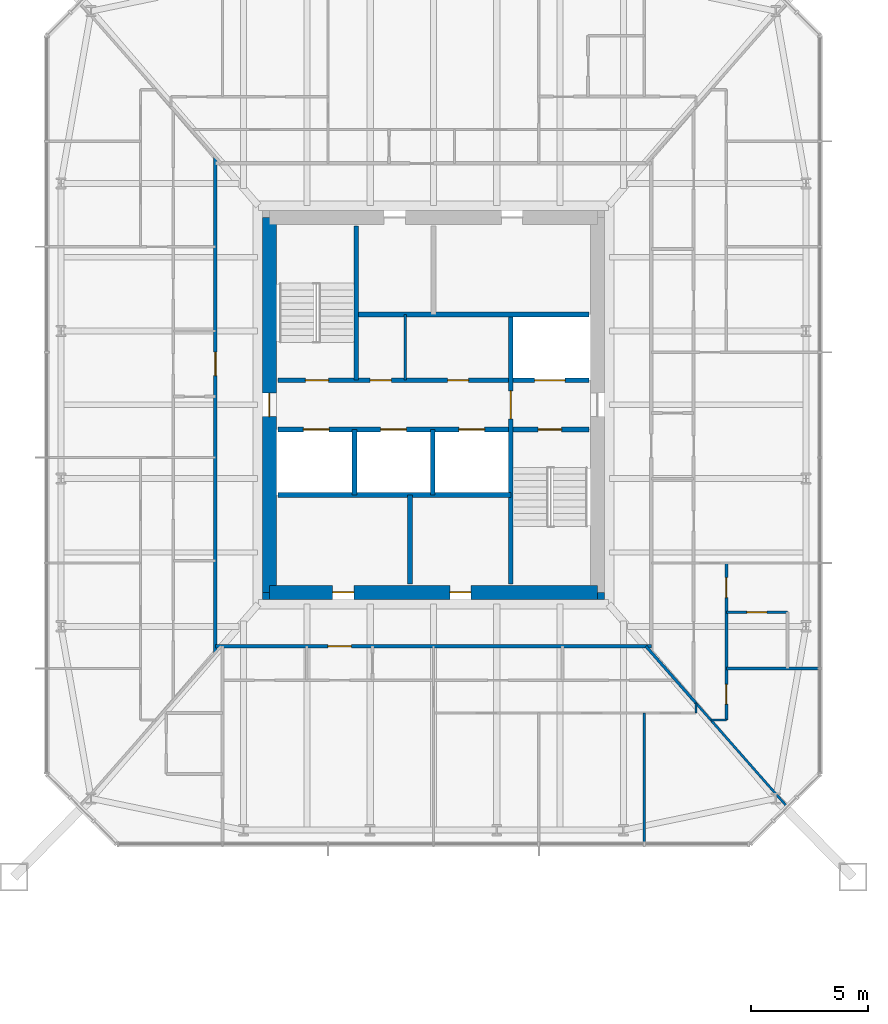
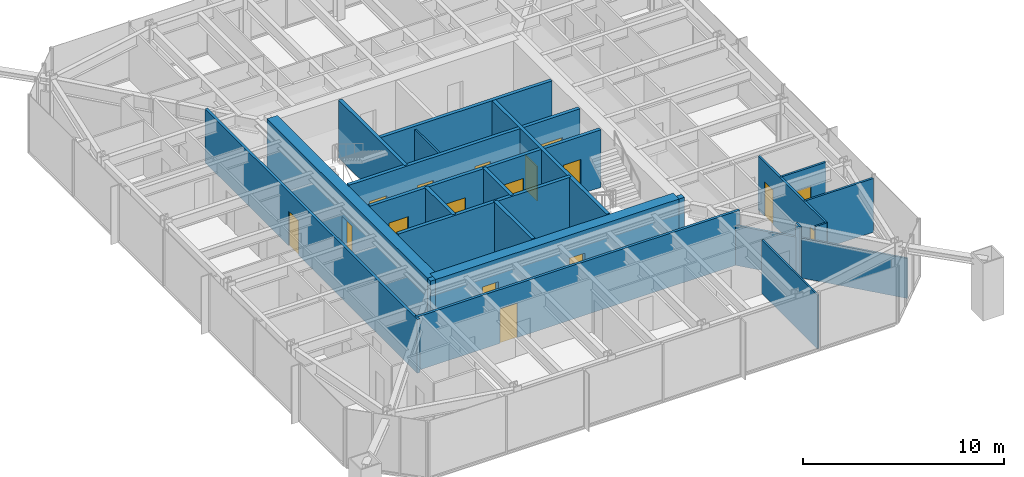
# One storey, part 19 of 26: 24 walls, 17 doors, 17 openings.
"""IFC4 building model written with IfcOpenShell, lengths in metres."""

from ifc_helpers import new_model, si_unit, direction, frame, frame_2d, origin, place, context, subcontext, project, spatial, rectangle, extrude, material, layer, layer_set, type_object, element, fill, save


model = new_model("IFC4")

# Units and contexts
model_context = context("Model", 3, precision=1e-05, world=origin(), true_north=direction((0.0, 1.0)))
body_context = subcontext(model_context, "Body", "Model", "MODEL_VIEW")
ifc_project = project(units=[si_unit("LENGTHUNIT", "METRE"), si_unit("AREAUNIT", "SQUARE_METRE"), si_unit("VOLUMEUNIT", "CUBIC_METRE"), si_unit("PLANEANGLEUNIT", "RADIAN"), si_unit("MASSUNIT", "GRAM", prefix="KILO")], contexts=[model_context])

# Site, building, storey
site_placement = place(None, origin())
site = spatial("IfcSite", under=ifc_project, at=site_placement, CompositionType="ELEMENT")
building_placement = place(site_placement, origin())
building = spatial("IfcBuilding", under=site, at=building_placement, Name="Iwan Alto Co-Living Towers", CompositionType="ELEMENT")
storey_placement = place(building_placement, frame((0.0, 0.0, 32.5)))
storey = spatial("IfcBuildingStorey", under=building, at=storey_placement, Name="L08", CompositionType="ELEMENT", Elevation=32.5)

# Wall, opening, door
ifc_material_1 = material(Name="Gypsum board")
ifc_layer_1 = layer(ifc_material_1, 0.02490234375, Name="Board", Category="Finish")
ifc_material_2 = material(Name="Steel ASTM A1003 ST33H cold-formed studs", Category="steel")
ifc_layer_2 = layer(ifc_material_2, 0.10009765625, Name="Studs", Category="Framing")
ifc_layer_3 = layer(ifc_material_1, 0.02490234375, Name="Board", Category="Finish")
ifc_layer_set_1 = layer_set([ifc_layer_1, ifc_layer_2, ifc_layer_3], Name="CORRIDOR WALL 150")
wall_type_1 = type_object("IfcWallType", Name="CORRIDOR WALL 150", PredefinedType="PARTITIONING", material=ifc_layer_set_1)
wall_1_placement = place(storey_placement, frame((53.699951171875, -10.300048828125, 0.0), z_axis=(0.0, 0.0, 1.0), x_axis=(1.0, 0.0, 0.0)))
wall_1 = element("IfcWall", 1, at=wall_1_placement, inside=storey, type_object=wall_type_1, Name="Partition L08", PredefinedType="PARTITIONING", context=body_context, shape_type="SweptSolid", body=[
    extrude(rectangle(XDim=18.60009765625, YDim=0.14990234375, at=frame_2d((9.300048828125, 0.0))), origin(), (0.0, 0.0, 1.0), 3.27001953125),
])
opening_1_placement = place(wall_1_placement, frame((4.800048828125, 0.0, 0.0)))
opening_1 = element("IfcOpeningElement", 2, at=opening_1_placement, cuts=wall_1, Name="Opening D3", PredefinedType="OPENING", context=body_context, shape_type="SweptSolid", body=[
    extrude(rectangle(XDim=1.0, YDim=2.10009765625, at=frame_2d((0.5, 1.050048828125))), frame((0.0, 0.0849609375, 0.0), z_axis=(0.0, -1.0, 0.0), x_axis=(1.0, 0.0, 0.0)), (0.0, 0.0, 1.0), 0.169921875),
])
ifc_material_3 = material(Name="Steel frame with timber leaf", Category="steel")
door_type_1 = type_object("IfcDoorType", Name="FLAT ENTRANCE DOOR FD30S 1000X2100", OperationType="SINGLE_SWING_LEFT", PredefinedType="DOOR", material=ifc_material_3)
door_1_placement = place(opening_1_placement, frame((1.0, 0.0, 0.0), z_axis=(0.0, 0.0, 1.0), x_axis=(-1.0, 0.0, 0.0)))
door_1 = element("IfcDoor", 3, at=door_1_placement, inside=storey, type_object=door_type_1, Name="Apartment foyer door L08", OperationType="SINGLE_SWING_RIGHT", OverallHeight=2.10009765625, OverallWidth=1.0, PredefinedType="DOOR", context=body_context, shape_type="SweptSolid", body=[
    extrude(rectangle(XDim=1.0, YDim=2.10009765625, at=frame_2d((0.5, 1.050048828125))), frame((0.0, 0.02490234375, 0.0), z_axis=(0.0, -1.0, 0.0), x_axis=(1.0, 0.0, 0.0)), (0.0, 0.0, 1.0), 0.050048828125),
])
fill(opening_1, door_1)

wall_2_placement = place(storey_placement, frame((53.699951171875, -10.568115234375, 0.0), z_axis=(0.0, 0.0, 1.0), x_axis=(0.0, 1.0, 0.0)))
wall_2 = element("IfcWall", 4, at=wall_2_placement, inside=storey, type_object=wall_type_1, Name="Partition L08", PredefinedType="PARTITIONING", context=body_context, shape_type="SweptSolid", body=[
    extrude(rectangle(XDim=21.13623046875, YDim=0.14990234375, at=frame_2d((10.568115234375, 0.0))), origin(), (0.0, 0.0, 1.0), 3.27001953125),
])
opening_2_placement = place(wall_2_placement, frame((11.818115234375, 0.0, 0.0)))
opening_2 = element("IfcOpeningElement", 5, at=opening_2_placement, cuts=wall_2, Name="Opening D3", PredefinedType="OPENING", context=body_context, shape_type="SweptSolid", body=[
    extrude(rectangle(XDim=1.0, YDim=2.10009765625, at=frame_2d((0.5, 1.050048828125))), frame((0.0, 0.0849609375, 0.0), z_axis=(0.0, -1.0, 0.0), x_axis=(1.0, 0.0, 0.0)), (0.0, 0.0, 1.0), 0.169921875),
])
door_2_placement = place(opening_2_placement, origin())
door_2 = element("IfcDoor", 6, at=door_2_placement, inside=storey, type_object=door_type_1, Name="Apartment foyer door L08", OperationType="SINGLE_SWING_LEFT", OverallHeight=2.10009765625, OverallWidth=1.0, PredefinedType="DOOR", context=body_context, shape_type="SweptSolid", body=[
    extrude(rectangle(XDim=1.0, YDim=2.10009765625, at=frame_2d((0.5, 1.050048828125))), frame((0.0, 0.02490234375, 0.0), z_axis=(0.0, -1.0, 0.0), x_axis=(1.0, 0.0, 0.0)), (0.0, 0.0, 1.0), 0.050048828125),
])
fill(opening_2, door_2)

# Walls
ifc_layer_4 = layer(ifc_material_1, 0.012451171875, Name="Board", Category="Finish")
ifc_layer_5 = layer(ifc_material_2, 0.074951171875, Name="Studs", Category="Framing")
ifc_layer_6 = layer(ifc_material_1, 0.012451171875, Name="Board", Category="Finish")
ifc_layer_set_2 = layer_set([ifc_layer_4, ifc_layer_5, ifc_layer_6], Name="PARTITION 100")
wall_type_2 = type_object("IfcWallType", Name="PARTITION 100", PredefinedType="PARTITIONING", material=ifc_layer_set_2)
wall_3_placement = place(storey_placement, frame((74.8359375, -13.449951171875, 0.0), z_axis=(0.0, 0.0, 1.0), x_axis=(1.0, 0.0, 0.0)))
element("IfcWall", 7, at=wall_3_placement, inside=storey, type_object=wall_type_2, Name="Partition L08", PredefinedType="PARTITIONING", context=body_context, shape_type="SweptSolid", body=[
    extrude(rectangle(XDim=0.6640625, YDim=0.10009765625, at=frame_2d((0.33203125, 0.0))), origin(), (0.0, 0.0, 1.0), 3.27001953125),
])
wall_4_placement = place(storey_placement, frame((74.199951171875, -13.14990234375, 0.0), z_axis=(0.0, 0.0, 1.0), x_axis=(0.0, 1.0, 0.0)))
element("IfcWall", 8, at=wall_4_placement, inside=storey, type_object=wall_type_2, Name="Partition L08", PredefinedType="PARTITIONING", context=body_context, shape_type="SweptSolid", body=[
    extrude(rectangle(XDim=0.4228515625, YDim=0.10009765625, at=frame_2d((0.21142578125, 0.0))), origin(), (0.0, 0.0, 1.0), 3.27001953125),
])
wall_5_placement = place(storey_placement, frame((72.0, -18.68994140625, 0.0), z_axis=(0.0, 0.0, 1.0), x_axis=(0.0, 1.0, 0.0)))
element("IfcWall", 9, at=wall_5_placement, inside=storey, type_object=wall_type_2, Name="Partition L08", PredefinedType="PARTITIONING", context=body_context, shape_type="SweptSolid", body=[
    extrude(rectangle(XDim=5.5400390625, YDim=0.10009765625, at=frame_2d((2.77001953125, 0.0))), origin(), (0.0, 0.0, 1.0), 3.27001953125),
])
wall_6_placement = place(storey_placement, frame((61.800048828125, 1.050048828125, 0.0), z_axis=(0.0, 0.0, 1.0), x_axis=(0.0, 1.0, 0.0)))
element("IfcWall", 10, at=wall_6_placement, inside=storey, type_object=wall_type_2, Name="Partition L08", PredefinedType="PARTITIONING", context=body_context, shape_type="SweptSolid", body=[
    extrude(rectangle(XDim=2.800048828125, YDim=0.10009765625, at=frame_2d((1.39990234375, 0.0))), origin(), (0.0, 0.0, 1.0), 3.300048828125),
])
wall_7_placement = place(storey_placement, frame((78.056884765625, -17.109130859375, 0.0), z_axis=(0.0, 0.0, 1.0), x_axis=(-0.660698595885, 0.750651294141, 0.0)))
element("IfcWall", 11, at=wall_7_placement, inside=storey, type_object=wall_type_2, Name="Partition L08", PredefinedType="PARTITIONING", context=body_context, shape_type="SweptSolid", body=[
    extrude(rectangle(XDim=5.838134765625, YDim=0.10009765625, at=frame_2d((2.9189453125, 0.0))), origin(), (0.0, 0.0, 1.0), 2.42919921875),
])
ifc_material_4 = material(Name="Concrete f'c 70 MPa", Category="concrete")
ifc_layer_7 = layer(ifc_material_4, 0.199951171875)
ifc_layer_set_3 = layer_set([ifc_layer_7], Name="SHAFT WALL 200")
wall_type_3 = type_object("IfcWallType", Name="SHAFT WALL 200", PredefinedType="SOLIDWALL", material=ifc_layer_set_3)
wall_8_placement = place(storey_placement, frame((56.360107421875, -3.85009765625, 0.0), z_axis=(0.0, 0.0, 1.0), x_axis=(1.0, 0.0, 0.0)))
element("IfcWall", 12, at=wall_8_placement, inside=storey, type_object=wall_type_3, Name="Shaft wall L08", PredefinedType="SOLIDWALL", context=body_context, shape_type="SweptSolid", body=[
    extrude(rectangle(XDim=9.93994140625, YDim=0.199951171875, at=frame_2d((4.969970703125, 0.0))), origin(), (0.0, 0.0, 1.0), 3.5),
])

# Wall, openings, doors
wall_9_placement = place(storey_placement, frame((56.360107421875, -1.050048828125, 0.0), z_axis=(0.0, 0.0, 1.0), x_axis=(1.0, 0.0, 0.0)))
wall_9 = element("IfcWall", 13, at=wall_9_placement, inside=storey, type_object=wall_type_3, Name="Shaft wall L08", PredefinedType="SOLIDWALL", context=body_context, shape_type="SweptSolid", body=[
    extrude(rectangle(XDim=13.27978515625, YDim=0.199951171875, at=frame_2d((6.639892578125, 0.0))), origin(), (0.0, 0.0, 1.0), 3.5),
])
opening_3_placement = place(wall_9_placement, frame((11.110107421875, 0.0, 0.0)))
opening_3 = element("IfcOpeningElement", 14, at=opening_3_placement, cuts=wall_9, Name="Opening D5", PredefinedType="OPENING", context=body_context, shape_type="SweptSolid", body=[
    extrude(rectangle(XDim=1.0, YDim=2.10009765625, at=frame_2d((0.5, 1.050048828125))), frame((0.0, 0.10986328125, 0.0), z_axis=(0.0, -1.0, 0.0), x_axis=(1.0, 0.0, 0.0)), (0.0, 0.0, 1.0), 0.219970703125),
])
opening_4_placement = place(wall_9_placement, frame((1.0869140625, 0.0, 0.0)))
opening_4 = element("IfcOpeningElement", 15, at=opening_4_placement, cuts=wall_9, Name="Opening LD", PredefinedType="OPENING", context=body_context, shape_type="SweptSolid", body=[
    extrude(rectangle(XDim=1.10009765625, YDim=2.10009765625, at=frame_2d((0.550048828125, 1.050048828125))), frame((0.0, 0.10986328125, 0.0), z_axis=(0.0, -1.0, 0.0), x_axis=(1.0, 0.0, 0.0)), (0.0, 0.0, 1.0), 0.219970703125),
])
opening_5_placement = place(wall_9_placement, frame((4.389892578125, 0.0, 0.0)))
opening_5 = element("IfcOpeningElement", 16, at=opening_5_placement, cuts=wall_9, Name="Opening LD", PredefinedType="OPENING", context=body_context, shape_type="SweptSolid", body=[
    extrude(rectangle(XDim=1.10009765625, YDim=2.10009765625, at=frame_2d((0.550048828125, 1.050048828125))), frame((0.0, 0.10986328125, 0.0), z_axis=(0.0, -1.0, 0.0), x_axis=(1.0, 0.0, 0.0)), (0.0, 0.0, 1.0), 0.219970703125),
])
opening_6_placement = place(wall_9_placement, frame((7.72412109375, 0.0, 0.0)))
opening_6 = element("IfcOpeningElement", 17, at=opening_6_placement, cuts=wall_9, Name="Opening LD", PredefinedType="OPENING", context=body_context, shape_type="SweptSolid", body=[
    extrude(rectangle(XDim=1.10009765625, YDim=2.10009765625, at=frame_2d((0.550048828125, 1.050048828125))), frame((0.0, 0.10986328125, 0.0), z_axis=(0.0, -1.0, 0.0), x_axis=(1.0, 0.0, 0.0)), (0.0, 0.0, 1.0), 0.219970703125),
])
ifc_material_5 = material(Name="Steel frame with timber leaf", Category="steel")
door_type_2 = type_object("IfcDoorType", Name="LIFT LANDING DOOR 1100X2100", OperationType="DOUBLE_DOOR_SLIDING", PredefinedType="DOOR", material=ifc_material_5)
door_3_placement = place(opening_4_placement, origin())
door_3 = element("IfcDoor", 18, at=door_3_placement, inside=storey, type_object=door_type_2, Name="Lift P5-1 landing door L08", OperationType="DOUBLE_DOOR_SLIDING", OverallHeight=2.10009765625, OverallWidth=1.10009765625, PredefinedType="DOOR", context=body_context, shape_type="SweptSolid", body=[
    extrude(rectangle(XDim=1.10009765625, YDim=2.10009765625, at=frame_2d((0.550048828125, 1.050048828125))), frame((0.0, 0.02490234375, 0.0), z_axis=(0.0, -1.0, 0.0), x_axis=(1.0, 0.0, 0.0)), (0.0, 0.0, 1.0), 0.050048828125),
])
fill(opening_4, door_3)
door_4_placement = place(opening_5_placement, origin())
door_4 = element("IfcDoor", 19, at=door_4_placement, inside=storey, type_object=door_type_2, Name="Lift P5-2 landing door L08", OperationType="DOUBLE_DOOR_SLIDING", OverallHeight=2.10009765625, OverallWidth=1.10009765625, PredefinedType="DOOR", context=body_context, shape_type="SweptSolid", body=[
    extrude(rectangle(XDim=1.10009765625, YDim=2.10009765625, at=frame_2d((0.550048828125, 1.050048828125))), frame((0.0, 0.02490234375, 0.0), z_axis=(0.0, -1.0, 0.0), x_axis=(1.0, 0.0, 0.0)), (0.0, 0.0, 1.0), 0.050048828125),
])
fill(opening_5, door_4)
door_5_placement = place(opening_6_placement, origin())
door_5 = element("IfcDoor", 20, at=door_5_placement, inside=storey, type_object=door_type_2, Name="Lift P6-3 landing door L08", OperationType="DOUBLE_DOOR_SLIDING", OverallHeight=2.10009765625, OverallWidth=1.10009765625, PredefinedType="DOOR", context=body_context, shape_type="SweptSolid", body=[
    extrude(rectangle(XDim=1.10009765625, YDim=2.10009765625, at=frame_2d((0.550048828125, 1.050048828125))), frame((0.0, 0.02490234375, 0.0), z_axis=(0.0, -1.0, 0.0), x_axis=(1.0, 0.0, 0.0)), (0.0, 0.0, 1.0), 0.050048828125),
])
fill(opening_6, door_5)
ifc_material_6 = material(Name="Steel frame with timber leaf", Category="steel")
door_type_3 = type_object("IfcDoorType", Name="STAIR DOOR FD120S 1000X2100", OperationType="SINGLE_SWING_LEFT", PredefinedType="DOOR", material=ifc_material_6)
door_6_placement = place(opening_3_placement, frame((1.0, 0.0, 0.0), z_axis=(0.0, 0.0, 1.0), x_axis=(-1.0, 0.0, 0.0)))
door_6 = element("IfcDoor", 21, at=door_6_placement, inside=storey, type_object=door_type_3, Name="Stair S2 door L08", OperationType="SINGLE_SWING_RIGHT", OverallHeight=2.10009765625, OverallWidth=1.0, PredefinedType="DOOR", context=body_context, shape_type="SweptSolid", body=[
    extrude(rectangle(XDim=1.0, YDim=2.10009765625, at=frame_2d((0.5, 1.050048828125))), frame((0.0, 0.02490234375, 0.0), z_axis=(0.0, -1.0, 0.0), x_axis=(1.0, 0.0, 0.0)), (0.0, 0.0, 1.0), 0.050048828125),
])
fill(opening_3, door_6)

wall_10_placement = place(storey_placement, frame((56.360107421875, 1.050048828125, 0.0), z_axis=(0.0, 0.0, 1.0), x_axis=(1.0, 0.0, 0.0)))
wall_10 = element("IfcWall", 22, at=wall_10_placement, inside=storey, type_object=wall_type_3, Name="Shaft wall L08", PredefinedType="SOLIDWALL", context=body_context, shape_type="SweptSolid", body=[
    extrude(rectangle(XDim=13.27978515625, YDim=0.199951171875, at=frame_2d((6.639892578125, 0.0))), origin(), (0.0, 0.0, 1.0), 3.5),
])
opening_7_placement = place(wall_10_placement, frame((1.169921875, 0.0, 0.0)))
opening_7 = element("IfcOpeningElement", 23, at=opening_7_placement, cuts=wall_10, Name="Opening D5", PredefinedType="OPENING", context=body_context, shape_type="SweptSolid", body=[
    extrude(rectangle(XDim=1.0, YDim=2.10009765625, at=frame_2d((0.5, 1.050048828125))), frame((0.0, 0.10986328125, 0.0), z_axis=(0.0, -1.0, 0.0), x_axis=(1.0, 0.0, 0.0)), (0.0, 0.0, 1.0), 0.219970703125),
])
opening_8_placement = place(wall_10_placement, frame((7.239990234375, 0.0, 0.0)))
opening_8 = element("IfcOpeningElement", 24, at=opening_8_placement, cuts=wall_10, Name="Opening D8", PredefinedType="OPENING", context=body_context, shape_type="SweptSolid", body=[
    extrude(rectangle(XDim=0.89990234375, YDim=2.10009765625, at=frame_2d((0.449951171875, 1.050048828125))), frame((0.0, 0.10986328125, 0.0), z_axis=(0.0, -1.0, 0.0), x_axis=(1.0, 0.0, 0.0)), (0.0, 0.0, 1.0), 0.219970703125),
])
opening_9_placement = place(wall_10_placement, frame((3.93994140625, 0.0, 0.0)))
opening_9 = element("IfcOpeningElement", 25, at=opening_9_placement, cuts=wall_10, Name="Opening D15", PredefinedType="OPENING", context=body_context, shape_type="SweptSolid", body=[
    extrude(rectangle(XDim=0.89990234375, YDim=2.10009765625, at=frame_2d((0.449951171875, 1.050048828125))), frame((0.0, 0.10986328125, 0.0), z_axis=(0.0, -1.0, 0.0), x_axis=(1.0, 0.0, 0.0)), (0.0, 0.0, 1.0), 0.219970703125),
])
opening_10_placement = place(wall_10_placement, frame((10.9599609375, 0.0, 0.0)))
opening_10 = element("IfcOpeningElement", 26, at=opening_10_placement, cuts=wall_10, Name="Opening LD2", PredefinedType="OPENING", context=body_context, shape_type="SweptSolid", body=[
    extrude(rectangle(XDim=1.300048828125, YDim=2.10009765625, at=frame_2d((0.64990234375, 1.050048828125))), frame((0.0, 0.10986328125, 0.0), z_axis=(0.0, -1.0, 0.0), x_axis=(1.0, 0.0, 0.0)), (0.0, 0.0, 1.0), 0.219970703125),
])
ifc_material_7 = material(Name="Steel frame with timber leaf", Category="steel")
door_type_4 = type_object("IfcDoorType", Name="CORE ROOM DOOR FD60S 900X2100", OperationType="SINGLE_SWING_LEFT", PredefinedType="DOOR", material=ifc_material_7)
door_7_placement = place(opening_9_placement, origin())
door_7 = element("IfcDoor", 27, at=door_7_placement, inside=storey, type_object=door_type_4, Name="Sprinkler valve room door L08", OperationType="SINGLE_SWING_LEFT", OverallHeight=2.10009765625, OverallWidth=0.89990234375, PredefinedType="DOOR", context=body_context, shape_type="SweptSolid", body=[
    extrude(rectangle(XDim=0.89990234375, YDim=2.10009765625, at=frame_2d((0.449951171875, 1.050048828125))), frame((0.0, 0.02490234375, 0.0), z_axis=(0.0, -1.0, 0.0), x_axis=(1.0, 0.0, 0.0)), (0.0, 0.0, 1.0), 0.050048828125),
])
fill(opening_9, door_7)
ifc_material_8 = material(Name="Steel frame with timber leaf", Category="steel")
door_type_5 = type_object("IfcDoorType", Name="LIFT LANDING DOOR 1300X2100", OperationType="SLIDING_TO_LEFT", PredefinedType="DOOR", material=ifc_material_8)
door_8_placement = place(opening_10_placement, origin())
door_8 = element("IfcDoor", 28, at=door_8_placement, inside=storey, type_object=door_type_5, Name="Lift FL2 landing door L08", OperationType="SLIDING_TO_LEFT", OverallHeight=2.10009765625, OverallWidth=1.300048828125, PredefinedType="DOOR", context=body_context, shape_type="SweptSolid", body=[
    extrude(rectangle(XDim=1.300048828125, YDim=2.10009765625, at=frame_2d((0.64990234375, 1.050048828125))), frame((0.0, 0.02490234375, 0.0), z_axis=(0.0, -1.0, 0.0), x_axis=(1.0, 0.0, 0.0)), (0.0, 0.0, 1.0), 0.050048828125),
])
fill(opening_10, door_8)
ifc_material_9 = material(Name="Steel frame with timber leaf", Category="steel")
door_type_6 = type_object("IfcDoorType", Name="RISER DOOR FD120 900X2100", OperationType="SINGLE_SWING_LEFT", PredefinedType="DOOR", material=ifc_material_9)
door_9_placement = place(opening_8_placement, origin())
door_9 = element("IfcDoor", 29, at=door_9_placement, inside=storey, type_object=door_type_6, Name="Riser room door L08", OperationType="SINGLE_SWING_LEFT", OverallHeight=2.10009765625, OverallWidth=0.89990234375, PredefinedType="DOOR", context=body_context, shape_type="SweptSolid", body=[
    extrude(rectangle(XDim=0.89990234375, YDim=2.10009765625, at=frame_2d((0.449951171875, 1.050048828125))), frame((0.0, 0.02490234375, 0.0), z_axis=(0.0, -1.0, 0.0), x_axis=(1.0, 0.0, 0.0)), (0.0, 0.0, 1.0), 0.050048828125),
])
fill(opening_8, door_9)
door_10_placement = place(opening_7_placement, origin())
door_10 = element("IfcDoor", 30, at=door_10_placement, inside=storey, type_object=door_type_3, Name="Stair S1 door L08", OperationType="SINGLE_SWING_RIGHT", OverallHeight=2.10009765625, OverallWidth=1.0, PredefinedType="DOOR", context=body_context, shape_type="SweptSolid", body=[
    extrude(rectangle(XDim=1.0, YDim=2.10009765625, at=frame_2d((0.5, 1.050048828125))), frame((0.0, 0.02490234375, 0.0), z_axis=(0.0, -1.0, 0.0), x_axis=(1.0, 0.0, 0.0)), (0.0, 0.0, 1.0), 0.050048828125),
])
fill(opening_7, door_10)

# Wall
wall_11_placement = place(storey_placement, frame((59.699951171875, 3.85009765625, 0.0), z_axis=(0.0, 0.0, 1.0), x_axis=(1.0, 0.0, 0.0)))
element("IfcWall", 31, at=wall_11_placement, inside=storey, type_object=wall_type_3, Name="Shaft wall L08", PredefinedType="SOLIDWALL", context=body_context, shape_type="SweptSolid", body=[
    extrude(rectangle(XDim=9.93994140625, YDim=0.199951171875, at=frame_2d((4.969970703125, 0.0))), origin(), (0.0, 0.0, 1.0), 3.5),
])

# Wall, opening, door
wall_12_placement = place(storey_placement, frame((66.300048828125, -7.639892578125, 0.0), z_axis=(0.0, 0.0, 1.0), x_axis=(0.0, 1.0, 0.0)))
wall_12 = element("IfcWall", 32, at=wall_12_placement, inside=storey, type_object=wall_type_3, Name="Shaft wall L08", PredefinedType="SOLIDWALL", context=body_context, shape_type="SweptSolid", body=[
    extrude(rectangle(XDim=11.489990234375, YDim=0.199951171875, at=frame_2d((5.7451171875, 0.0))), origin(), (0.0, 0.0, 1.0), 3.5),
])
opening_11_placement = place(wall_12_placement, frame((7.0400390625, 0.0, 0.0)))
opening_11 = element("IfcOpeningElement", 33, at=opening_11_placement, cuts=wall_12, Name="Opening D6", PredefinedType="OPENING", context=body_context, shape_type="SweptSolid", body=[
    extrude(rectangle(XDim=1.199951171875, YDim=2.10009765625, at=frame_2d((0.60009765625, 1.050048828125))), frame((0.0, 0.10986328125, 0.0), z_axis=(0.0, -1.0, 0.0), x_axis=(1.0, 0.0, 0.0)), (0.0, 0.0, 1.0), 0.219970703125),
])
ifc_material_10 = material(Name="Steel frame with timber leaf", Category="steel")
door_type_7 = type_object("IfcDoorType", Name="LOBBY DOOR FD120S 1200X2100", OperationType="SINGLE_SWING_LEFT", PredefinedType="DOOR", material=ifc_material_10)
door_11_placement = place(opening_11_placement, frame((1.199951171875, 0.0, 0.0), z_axis=(0.0, 0.0, 1.0), x_axis=(-1.0, 0.0, 0.0)))
door_11 = element("IfcDoor", 34, at=door_11_placement, inside=storey, type_object=door_type_7, Name="Firefighting lobby door L08", OperationType="SINGLE_SWING_RIGHT", OverallHeight=2.10009765625, OverallWidth=1.199951171875, PredefinedType="DOOR", context=body_context, shape_type="SweptSolid", body=[
    extrude(rectangle(XDim=1.199951171875, YDim=2.10009765625, at=frame_2d((0.60009765625, 1.050048828125))), frame((0.0, 0.02490234375, 0.0), z_axis=(0.0, -1.0, 0.0), x_axis=(1.0, 0.0, 0.0)), (0.0, 0.0, 1.0), 0.050048828125),
])
fill(opening_11, door_11)

# Walls
wall_13_placement = place(storey_placement, frame((62.967041015625, -3.85009765625, 0.0), z_axis=(0.0, 0.0, 1.0), x_axis=(0.0, 1.0, 0.0)))
element("IfcWall", 35, at=wall_13_placement, inside=storey, type_object=wall_type_3, Name="Shaft wall L08", PredefinedType="SOLIDWALL", context=body_context, shape_type="SweptSolid", body=[
    extrude(rectangle(XDim=2.800048828125, YDim=0.199951171875, at=frame_2d((1.39990234375, 0.0))), origin(), (0.0, 0.0, 1.0), 3.5),
])
wall_14_placement = place(storey_placement, frame((62.0, -7.639892578125, 0.0), z_axis=(0.0, 0.0, 1.0), x_axis=(0.0, 1.0, 0.0)))
element("IfcWall", 36, at=wall_14_placement, inside=storey, type_object=wall_type_3, Name="Shaft wall L08", PredefinedType="SOLIDWALL", context=body_context, shape_type="SweptSolid", body=[
    extrude(rectangle(XDim=3.789794921875, YDim=0.199951171875, at=frame_2d((1.89501953125, 0.0))), origin(), (0.0, 0.0, 1.0), 3.5),
])
wall_15_placement = place(storey_placement, frame((59.699951171875, 1.050048828125, 0.0), z_axis=(0.0, 0.0, 1.0), x_axis=(0.0, 1.0, 0.0)))
element("IfcWall", 37, at=wall_15_placement, inside=storey, type_object=wall_type_3, Name="Shaft wall L08", PredefinedType="SOLIDWALL", context=body_context, shape_type="SweptSolid", body=[
    extrude(rectangle(XDim=6.58984375, YDim=0.199951171875, at=frame_2d((3.294921875, 0.0))), origin(), (0.0, 0.0, 1.0), 3.5),
])
wall_16_placement = place(storey_placement, frame((59.633056640625, -3.85009765625, 0.0), z_axis=(0.0, 0.0, 1.0), x_axis=(0.0, 1.0, 0.0)))
element("IfcWall", 38, at=wall_16_placement, inside=storey, type_object=wall_type_3, Name="Shaft wall L08", PredefinedType="SOLIDWALL", context=body_context, shape_type="SweptSolid", body=[
    extrude(rectangle(XDim=2.800048828125, YDim=0.199951171875, at=frame_2d((1.39990234375, 0.0))), origin(), (0.0, 0.0, 1.0), 3.5),
])
ifc_material_11 = material(Name="Concrete f'c 70 MPa", Category="concrete")
ifc_layer_8 = layer(ifc_material_11, 0.300048828125)
ifc_layer_set_4 = layer_set([ifc_layer_8], Name="T2 CORE CORNER FILL 300")
wall_type_4 = type_object("IfcWallType", Name="T2 CORE CORNER FILL 300", PredefinedType="SOLIDWALL", material=ifc_layer_set_4)
for number, where, z_axis, x_axis, name in (
    (39, (55.699951171875, -8.14990234375, 0.0), (0.0, 0.0, 1.0), (1.0, 0.0, 0.0), "T2 core corner SW L08"),
    (40, (70.0, -8.14990234375, 0.0), (0.0, 0.0, 1.0), (1.0, 0.0, 0.0), "T2 core corner SE L08"),
):
    element("IfcWall", number, at=place(storey_placement, frame(where, z_axis=z_axis, x_axis=x_axis)), inside=storey, type_object=wall_type_4, Name=name, PredefinedType="SOLIDWALL", context=body_context, shape_type="SweptSolid", body=[
        extrude(rectangle(XDim=0.300048828125, YDim=0.300048828125, at=frame_2d((0.14990234375, 0.0))), origin(), (0.0, 0.0, 1.0), 3.5),
    ])

# Wall, openings, doors
ifc_material_12 = material(Name="Concrete f'c 70 MPa", Category="concrete")
ifc_layer_9 = layer(ifc_material_12, 0.60009765625)
ifc_layer_set_5 = layer_set([ifc_layer_9], Name="T2 CORE WALL 600")
wall_type_5 = type_object("IfcWallType", Name="T2 CORE WALL 600", PredefinedType="SHEAR", material=ifc_layer_set_5)
wall_17_placement = place(storey_placement, frame((56.0, -8.0, 0.0), z_axis=(0.0, 0.0, 1.0), x_axis=(1.0, 0.0, 0.0)))
wall_17 = element("IfcWall", 41, at=wall_17_placement, inside=storey, type_object=wall_type_5, Name="T2 core wall S L08", PredefinedType="SHEAR", context=body_context, shape_type="SweptSolid", body=[
    extrude(rectangle(XDim=14.0, YDim=0.60009765625, at=frame_2d((7.0, 0.0))), origin(), (0.0, 0.0, 1.0), 3.5),
])
opening_12_placement = place(wall_17_placement, frame((2.699951171875, 0.0, 0.0)))
opening_12 = element("IfcOpeningElement", 42, at=opening_12_placement, cuts=wall_17, Name="Opening D8", PredefinedType="OPENING", context=body_context, shape_type="SweptSolid", body=[
    extrude(rectangle(XDim=0.89990234375, YDim=2.10009765625, at=frame_2d((0.449951171875, 1.050048828125))), frame((0.0, 0.31005859375, 0.0), z_axis=(0.0, -1.0, 0.0), x_axis=(1.0, 0.0, 0.0)), (0.0, 0.0, 1.0), 0.6201171875),
])
opening_13_placement = place(wall_17_placement, frame((7.699951171875, 0.0, 0.0)))
opening_13 = element("IfcOpeningElement", 43, at=opening_13_placement, cuts=wall_17, Name="Opening D8", PredefinedType="OPENING", context=body_context, shape_type="SweptSolid", body=[
    extrude(rectangle(XDim=0.89990234375, YDim=2.10009765625, at=frame_2d((0.449951171875, 1.050048828125))), frame((0.0, 0.31005859375, 0.0), z_axis=(0.0, -1.0, 0.0), x_axis=(1.0, 0.0, 0.0)), (0.0, 0.0, 1.0), 0.6201171875),
])
door_12_placement = place(opening_12_placement, origin())
door_12 = element("IfcDoor", 44, at=door_12_placement, inside=storey, type_object=door_type_6, Name="Refuse room core door L08", OperationType="SINGLE_SWING_LEFT", OverallHeight=2.10009765625, OverallWidth=0.89990234375, PredefinedType="DOOR", context=body_context, shape_type="SweptSolid", body=[
    extrude(rectangle(XDim=0.89990234375, YDim=2.10009765625, at=frame_2d((0.449951171875, 1.050048828125))), frame((0.0, 0.02490234375, 0.0), z_axis=(0.0, -1.0, 0.0), x_axis=(1.0, 0.0, 0.0)), (0.0, 0.0, 1.0), 0.050048828125),
])
fill(opening_12, door_12)
door_13_placement = place(opening_13_placement, origin())
door_13 = element("IfcDoor", 45, at=door_13_placement, inside=storey, type_object=door_type_6, Name="Telecom riser core door L08", OperationType="SINGLE_SWING_LEFT", OverallHeight=2.10009765625, OverallWidth=0.89990234375, PredefinedType="DOOR", context=body_context, shape_type="SweptSolid", body=[
    extrude(rectangle(XDim=0.89990234375, YDim=2.10009765625, at=frame_2d((0.449951171875, 1.050048828125))), frame((0.0, 0.02490234375, 0.0), z_axis=(0.0, -1.0, 0.0), x_axis=(1.0, 0.0, 0.0)), (0.0, 0.0, 1.0), 0.050048828125),
])
fill(opening_13, door_13)

# Wall, opening, door
wall_18_placement = place(storey_placement, frame((56.0, 8.0, 0.0), z_axis=(0.0, 0.0, 1.0), x_axis=(0.0, -1.0, 0.0)))
wall_18 = element("IfcWall", 46, at=wall_18_placement, inside=storey, type_object=wall_type_5, Name="T2 core wall W L08", PredefinedType="SHEAR", context=body_context, shape_type="SweptSolid", body=[
    extrude(rectangle(XDim=16.0, YDim=0.60009765625, at=frame_2d((8.0, 0.0))), origin(), (0.0, 0.0, 1.0), 3.5),
])
opening_14_placement = place(wall_18_placement, frame((7.5, 0.0, 0.0)))
opening_14 = element("IfcOpeningElement", 47, at=opening_14_placement, cuts=wall_18, Name="Opening D7", PredefinedType="OPENING", context=body_context, shape_type="SweptSolid", body=[
    extrude(rectangle(XDim=1.0, YDim=2.10009765625, at=frame_2d((0.5, 1.050048828125))), frame((0.0, 0.31005859375, 0.0), z_axis=(0.0, -1.0, 0.0), x_axis=(1.0, 0.0, 0.0)), (0.0, 0.0, 1.0), 0.6201171875),
])
ifc_material_13 = material(Name="Steel frame with timber leaf", Category="steel")
door_type_8 = type_object("IfcDoorType", Name="CORE DOOR FD120S 1000X2100", OperationType="SINGLE_SWING_LEFT", PredefinedType="DOOR", material=ifc_material_13)
door_14_placement = place(opening_14_placement, origin())
door_14 = element("IfcDoor", 48, at=door_14_placement, inside=storey, type_object=door_type_8, Name="Lift lobby core door L08", OperationType="SINGLE_SWING_RIGHT", OverallHeight=2.10009765625, OverallWidth=1.0, PredefinedType="DOOR", context=body_context, shape_type="SweptSolid", body=[
    extrude(rectangle(XDim=1.0, YDim=2.10009765625, at=frame_2d((0.5, 1.050048828125))), frame((0.0, 0.02490234375, 0.0), z_axis=(0.0, -1.0, 0.0), x_axis=(1.0, 0.0, 0.0)), (0.0, 0.0, 1.0), 0.050048828125),
])
fill(opening_14, door_14)

# Wall
ifc_material_14 = material(Name="Cement board")
ifc_layer_10 = layer(ifc_material_14, 0.012451171875, Name="Board", Category="Finish")
ifc_layer_11 = layer(ifc_material_2, 0.094970703125, Name="Studs", Category="Framing")
ifc_layer_12 = layer(ifc_material_14, 0.012451171875, Name="Board", Category="Finish")
ifc_layer_set_6 = layer_set([ifc_layer_10, ifc_layer_11, ifc_layer_12], Name="WET AREA PARTITION 120")
wall_type_6 = type_object("IfcWallType", Name="WET AREA PARTITION 120", PredefinedType="PARTITIONING", material=ifc_layer_set_6)
wall_19_placement = place(storey_placement, frame((75.5, -11.25, 0.0), z_axis=(0.0, 0.0, 1.0), x_axis=(1.0, 0.0, 0.0)))
element("IfcWall", 49, at=wall_19_placement, inside=storey, type_object=wall_type_6, Name="Partition L08", PredefinedType="PARTITIONING", context=body_context, shape_type="SweptSolid", body=[
    extrude(rectangle(XDim=3.93994140625, YDim=0.1201171875, at=frame_2d((1.969970703125, 0.0))), origin(), (0.0, 0.0, 1.0), 3.27001953125),
])

# Wall, opening, door
wall_20_placement = place(storey_placement, frame((75.5, -8.85009765625, 0.0), z_axis=(0.0, 0.0, 1.0), x_axis=(1.0, 0.0, 0.0)))
wall_20 = element("IfcWall", 50, at=wall_20_placement, inside=storey, type_object=wall_type_6, Name="Partition L08", PredefinedType="PARTITIONING", context=body_context, shape_type="SweptSolid", body=[
    extrude(rectangle(XDim=2.60009765625, YDim=0.1201171875, at=frame_2d((1.300048828125, 0.0))), origin(), (0.0, 0.0, 1.0), 3.27001953125),
])
opening_15_placement = place(wall_20_placement, frame((0.875, 0.0, 0.0)))
opening_15 = element("IfcOpeningElement", 51, at=opening_15_placement, cuts=wall_20, Name="Opening D2", PredefinedType="OPENING", context=body_context, shape_type="SweptSolid", body=[
    extrude(rectangle(XDim=0.85009765625, YDim=2.10009765625, at=frame_2d((0.425048828125, 1.050048828125))), frame((0.0, 0.070068359375, 0.0), z_axis=(0.0, -1.0, 0.0), x_axis=(1.0, 0.0, 0.0)), (0.0, 0.0, 1.0), 0.14013671875),
])
ifc_material_15 = material(Name="Timber leaf in steel frame", Category="steel")
door_type_9 = type_object("IfcDoorType", Name="ROOM DOOR 850X2100", OperationType="SINGLE_SWING_LEFT", PredefinedType="DOOR", material=ifc_material_15)
door_15_placement = place(opening_15_placement, origin())
door_15 = element("IfcDoor", 52, at=door_15_placement, inside=storey, type_object=door_type_9, Name="En-suite shower room door L08", OperationType="SINGLE_SWING_LEFT", OverallHeight=2.10009765625, OverallWidth=0.85009765625, PredefinedType="DOOR", context=body_context, shape_type="SweptSolid", body=[
    extrude(rectangle(XDim=0.85009765625, YDim=2.10009765625, at=frame_2d((0.425048828125, 1.050048828125))), frame((0.0, 0.02490234375, 0.0), z_axis=(0.0, -1.0, 0.0), x_axis=(1.0, 0.0, 0.0)), (0.0, 0.0, 1.0), 0.050048828125),
])
fill(opening_15, door_15)

# Wall, openings, doors
wall_21_placement = place(storey_placement, frame((75.5, -13.449951171875, 0.0), z_axis=(0.0, 0.0, 1.0), x_axis=(0.0, 1.0, 0.0)))
wall_21 = element("IfcWall", 53, at=wall_21_placement, inside=storey, type_object=wall_type_6, Name="Partition L08", PredefinedType="PARTITIONING", context=body_context, shape_type="SweptSolid", body=[
    extrude(rectangle(XDim=6.699951171875, YDim=0.1201171875, at=frame_2d((3.35009765625, 0.0))), origin(), (0.0, 0.0, 1.0), 3.27001953125),
])
opening_16_placement = place(wall_21_placement, frame((5.22509765625, 0.0, 0.0)))
opening_16 = element("IfcOpeningElement", 54, at=opening_16_placement, cuts=wall_21, Name="Opening D2", PredefinedType="OPENING", context=body_context, shape_type="SweptSolid", body=[
    extrude(rectangle(XDim=0.85009765625, YDim=2.10009765625, at=frame_2d((0.425048828125, 1.050048828125))), frame((0.0, 0.070068359375, 0.0), z_axis=(0.0, -1.0, 0.0), x_axis=(1.0, 0.0, 0.0)), (0.0, 0.0, 1.0), 0.14013671875),
])
opening_17_placement = place(wall_21_placement, frame((0.675048828125, 0.0, 0.0)))
opening_17 = element("IfcOpeningElement", 55, at=opening_17_placement, cuts=wall_21, Name="Opening D2", PredefinedType="OPENING", context=body_context, shape_type="SweptSolid", body=[
    extrude(rectangle(XDim=0.85009765625, YDim=2.10009765625, at=frame_2d((0.425048828125, 1.050048828125))), frame((0.0, 0.070068359375, 0.0), z_axis=(0.0, -1.0, 0.0), x_axis=(1.0, 0.0, 0.0)), (0.0, 0.0, 1.0), 0.14013671875),
])
door_16_placement = place(opening_16_placement, frame((0.85009765625, 0.0, 0.0), z_axis=(0.0, 0.0, 1.0), x_axis=(-1.0, 0.0, 0.0)))
door_16 = element("IfcDoor", 56, at=door_16_placement, inside=storey, type_object=door_type_9, Name="Bedroom door L08", OperationType="SINGLE_SWING_RIGHT", OverallHeight=2.10009765625, OverallWidth=0.85009765625, PredefinedType="DOOR", context=body_context, shape_type="SweptSolid", body=[
    extrude(rectangle(XDim=0.85009765625, YDim=2.10009765625, at=frame_2d((0.425048828125, 1.050048828125))), frame((0.0, 0.02490234375, 0.0), z_axis=(0.0, -1.0, 0.0), x_axis=(1.0, 0.0, 0.0)), (0.0, 0.0, 1.0), 0.050048828125),
])
fill(opening_16, door_16)
door_17_placement = place(opening_17_placement, frame((0.85009765625, 0.0, 0.0), z_axis=(0.0, 0.0, 1.0), x_axis=(-1.0, 0.0, 0.0)))
door_17 = element("IfcDoor", 57, at=door_17_placement, inside=storey, type_object=door_type_9, Name="Bedroom door L08", OperationType="SINGLE_SWING_LEFT", OverallHeight=2.10009765625, OverallWidth=0.85009765625, PredefinedType="DOOR", context=body_context, shape_type="SweptSolid", body=[
    extrude(rectangle(XDim=0.85009765625, YDim=2.10009765625, at=frame_2d((0.425048828125, 1.050048828125))), frame((0.0, 0.02490234375, 0.0), z_axis=(0.0, -1.0, 0.0), x_axis=(1.0, 0.0, 0.0)), (0.0, 0.0, 1.0), 0.050048828125),
])
fill(opening_17, door_17)

# Wall
wall_22_placement = place(storey_placement, frame((74.199951171875, -12.72705078125, 0.0), z_axis=(0.0, 0.0, 1.0), x_axis=(-0.660667046586, 0.75067906162, 0.0)))
element("IfcWall", 58, at=wall_22_placement, inside=storey, type_object=wall_type_6, Name="Partition L08", PredefinedType="PARTITIONING", context=body_context, shape_type="SweptSolid", body=[
    extrude(rectangle(XDim=3.233154296875, YDim=0.1201171875, at=frame_2d((1.61669921875, 0.0))), origin(), (0.0, 0.0, 1.0), 2.42919921875),
])

save(model, "model.ifc")
